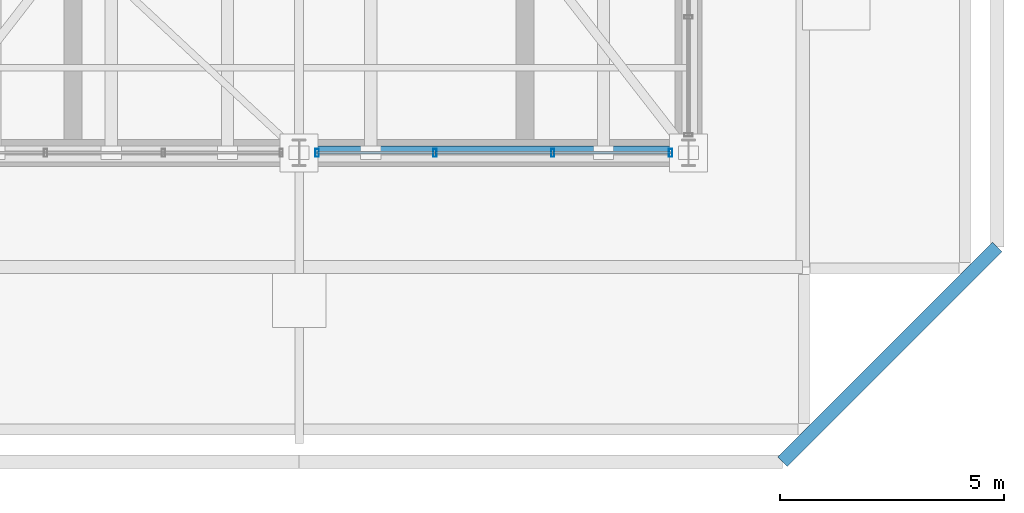
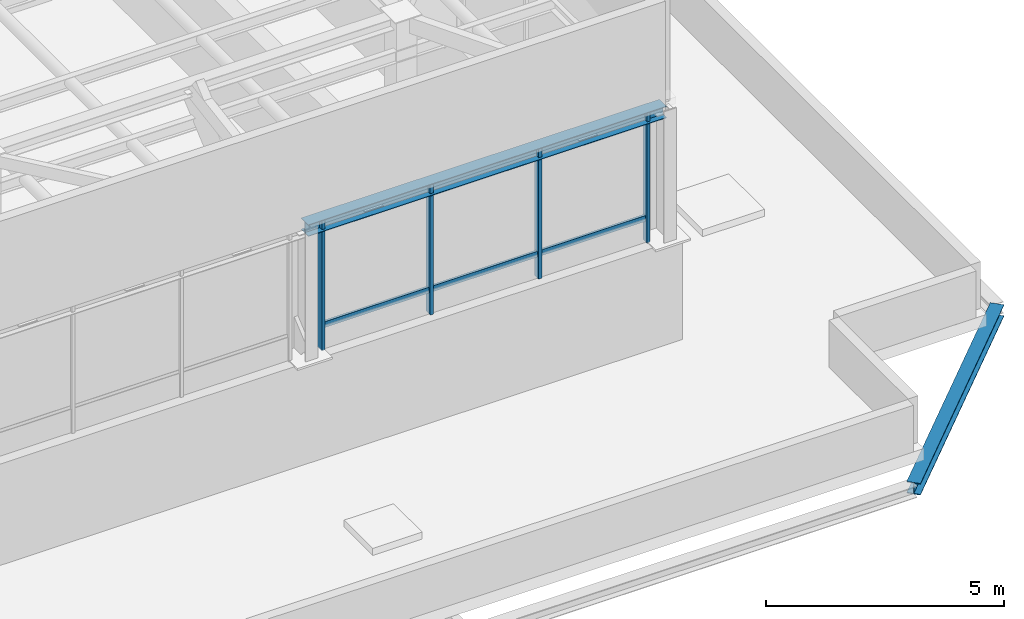
# One storey, part 9 of 22: 7 members, 2 beams, 1 element without a shape of its own.
"""IFC4 building model written with IfcOpenShell, lengths in metres."""

from ifc_helpers import new_model, si_unit, direction, frame, origin, origin_2d, place, context, subcontext, project, spatial, hollow_rectangle, i_section, extrude, material, layer, layer_set, material_profile, profile_set, type_object, element, aggregate, save


model = new_model("IFC4")

# Units and contexts
model_context = context("Model", 3, precision=1e-05, world=origin(), true_north=direction((0.0, 1.0)))
body_context = subcontext(model_context, "Body", "Model", "MODEL_VIEW")
ifc_project = project(units=[si_unit("LENGTHUNIT", "METRE"), si_unit("AREAUNIT", "SQUARE_METRE"), si_unit("VOLUMEUNIT", "CUBIC_METRE"), si_unit("PLANEANGLEUNIT", "RADIAN"), si_unit("MASSUNIT", "GRAM", prefix="KILO")], contexts=[model_context])

# Site, building, storey
site_placement = place(None, origin())
site = spatial("IfcSite", under=ifc_project, at=site_placement, CompositionType="ELEMENT")
building_placement = place(site_placement, origin())
building = spatial("IfcBuilding", under=site, at=building_placement, Name="Belovzor Exchange Tower", CompositionType="ELEMENT")
storey_placement = place(building_placement, frame((0.0, 0.0, 378.60009765625)))
storey = spatial("IfcBuildingStorey", under=building, at=storey_placement, Name="RF", CompositionType="ELEMENT", Elevation=378.60009765625)

# Beams
ifc_material_1 = material(Name="Steel S355", Category="steel")
ifc_material_profile_1 = material_profile(ifc_material_1, i_section(OverallWidth=0.300048828125, OverallDepth=0.300048828125, WebThickness=0.010986328125, FlangeThickness=0.01904296875, at=origin_2d()))
ifc_profile_set_1 = profile_set([ifc_material_profile_1], Name="Steel S355")
beam_type_1 = type_object("IfcBeamType", Name="Crown Plant Primary Beam HEB 300", PredefinedType="BEAM", material=ifc_profile_set_1)
beam_1_placement = place(storey_placement, frame((39.60009765625, 13.199951171875, -0.4501953125), z_axis=(0.707088798028, 0.707124763888, 0.0), x_axis=(-0.707124763888, 0.707088798028, 0.0)))
element("IfcBeam", 1, at=beam_1_placement, inside=storey, type_object=beam_type_1, Name="FG-CR Crown Plant Primary Beam HEB 300", PredefinedType="BEAM", context=body_context, shape_type="SweptSolid", body=[
    extrude(i_section(OverallWidth=0.300048828125, OverallDepth=0.300048828125, WebThickness=0.010986328125, FlangeThickness=0.01904296875, at=origin_2d()), origin(), (0.0, 0.0, 1.0), 6.7880859375),
])
ifc_material_2 = material(Name="Steel S355", Category="steel")
ifc_material_profile_2 = material_profile(ifc_material_2, i_section(OverallWidth=0.300048828125, OverallDepth=0.300048828125, WebThickness=0.008544921875, FlangeThickness=0.013916015625, at=origin_2d()))
ifc_profile_set_2 = profile_set([ifc_material_profile_2], Name="Steel S355")
beam_type_2 = type_object("IfcBeamType", Name="Crown Ring & Trim Beam HEA 300", PredefinedType="BEAM", material=ifc_profile_set_2)
beam_2_placement = place(storey_placement, frame((28.800048828125, 20.10009765625, 5.849853515625), z_axis=(1.0, 0.0, 0.0), x_axis=(0.0, 1.0, 0.0)))
element("IfcBeam", 2, at=beam_2_placement, inside=storey, type_object=beam_type_2, Name="CB-CR Crown Ring & Trim Beam HEA 300", PredefinedType="BEAM", context=body_context, shape_type="SweptSolid", body=[
    extrude(i_section(OverallWidth=0.300048828125, OverallDepth=0.300048828125, WebThickness=0.008544921875, FlangeThickness=0.013916015625, at=origin_2d()), origin(), (0.0, 0.0, 1.0), 8.699951171875),
])

# Curtain wall, members
ifc_material_3 = material(Name="Anodised Aluminium Framing", Category="aluminium")
ifc_layer = layer(ifc_material_3, 0.169921875)
ifc_layer_set = layer_set([ifc_layer], Name="Anodised Aluminium Framing")
curtain_wall_type = type_object("IfcCurtainWallType", Name="Stepped Crown Faceted Lantern Curtain Wall", PredefinedType="NOTDEFINED", material=ifc_layer_set)
curtain_wall_placement = place(storey_placement, origin())
curtain_wall = element("IfcCurtainWall", 3, at=curtain_wall_placement, inside=storey, type_object=curtain_wall_type, Name="CW6 Stepped Crown Faceted Lantern Curtain Wall RF", PredefinedType="NOTDEFINED")
ifc_material_4 = material(Name="Steel S355", Category="steel")
ifc_material_profile_3 = material_profile(ifc_material_4, hollow_rectangle(XDim=0.074951171875, YDim=0.179931640625, WallThickness=0.0048828125, at=origin_2d()))
ifc_profile_set_3 = profile_set([ifc_material_profile_3], Name="Steel S355")
member_type_1 = type_object("IfcMemberType", Name="Thermally Broken Curtain Wall Mullion 180x75", PredefinedType="MULLION", material=ifc_profile_set_3)
member_1_placement = place(storey_placement, frame((37.10009765625, 20.10009765625, 2.599853515625), z_axis=(0.0, 0.0, 1.0), x_axis=(-1.0, 0.0, 0.0)))
member_1 = element("IfcMember", 4, at=member_1_placement, type_object=member_type_1, Name="CW-M180 Curtain Wall Mullion 1", PredefinedType="MULLION", context=body_context, shape_type="SweptSolid", body=[
    extrude(hollow_rectangle(XDim=0.074951171875, YDim=0.179931640625, WallThickness=0.0048828125, at=origin_2d()), origin(), (0.0, 0.0, 1.0), 3.35009765625),
])
member_2_placement = place(storey_placement, frame((34.467041015625, 20.10009765625, 2.599853515625), z_axis=(0.0, 0.0, 1.0), x_axis=(-1.0, 0.0, 0.0)))
member_2 = element("IfcMember", 5, at=member_2_placement, type_object=member_type_1, Name="CW-M180 Curtain Wall Mullion 2", PredefinedType="MULLION", context=body_context, shape_type="SweptSolid", body=[
    extrude(hollow_rectangle(XDim=0.074951171875, YDim=0.179931640625, WallThickness=0.0048828125, at=origin_2d()), origin(), (0.0, 0.0, 1.0), 3.35009765625),
])
member_3_placement = place(storey_placement, frame((31.8330078125, 20.10009765625, 2.599853515625), z_axis=(0.0, 0.0, 1.0), x_axis=(-1.0, 0.0, 0.0)))
member_3 = element("IfcMember", 6, at=member_3_placement, type_object=member_type_1, Name="CW-M180 Curtain Wall Mullion 3", PredefinedType="MULLION", context=body_context, shape_type="SweptSolid", body=[
    extrude(hollow_rectangle(XDim=0.074951171875, YDim=0.179931640625, WallThickness=0.0048828125, at=origin_2d()), origin(), (0.0, 0.0, 1.0), 3.35009765625),
])
member_4_placement = place(storey_placement, frame((29.199951171875, 20.10009765625, 2.599853515625), z_axis=(0.0, 0.0, 1.0), x_axis=(-1.0, 0.0, 0.0)))
member_4 = element("IfcMember", 7, at=member_4_placement, type_object=member_type_1, Name="CW-M180 Curtain Wall Mullion 4", PredefinedType="MULLION", context=body_context, shape_type="SweptSolid", body=[
    extrude(hollow_rectangle(XDim=0.074951171875, YDim=0.179931640625, WallThickness=0.0048828125, at=origin_2d()), origin(), (0.0, 0.0, 1.0), 3.35009765625),
])
ifc_material_5 = material(Name="Steel S355", Category="steel")
ifc_material_profile_4 = material_profile(ifc_material_5, hollow_rectangle(XDim=0.06005859375, YDim=0.14990234375, WallThickness=0.00390625, at=origin_2d()))
ifc_profile_set_4 = profile_set([ifc_material_profile_4], Name="Steel S355")
member_type_2 = type_object("IfcMemberType", Name="Thermally Broken Curtain Wall Transom 150x60", PredefinedType="USERDEFINED", material=ifc_profile_set_4)
member_5_placement = place(storey_placement, frame((37.092041015625, 20.10009765625, 3.202880859375), z_axis=(-1.0, 0.0, 0.0), x_axis=(0.0, -1.0, 0.0)))
member_5 = element("IfcMember", 8, at=member_5_placement, type_object=member_type_2, Name="CW-T150 Curtain Wall Transom 1", ObjectType="TRANSOM", PredefinedType="USERDEFINED", context=body_context, shape_type="SweptSolid", body=[
    extrude(hollow_rectangle(XDim=0.06005859375, YDim=0.14990234375, WallThickness=0.00390625, at=origin_2d()), origin(), (0.0, 0.0, 1.0), 2.616943359375),
])
member_6_placement = place(storey_placement, frame((34.458984375, 20.10009765625, 3.202880859375), z_axis=(-1.0, 0.0, 0.0), x_axis=(0.0, -1.0, 0.0)))
member_6 = element("IfcMember", 9, at=member_6_placement, type_object=member_type_2, Name="CW-T150 Curtain Wall Transom 2", ObjectType="TRANSOM", PredefinedType="USERDEFINED", context=body_context, shape_type="SweptSolid", body=[
    extrude(hollow_rectangle(XDim=0.06005859375, YDim=0.14990234375, WallThickness=0.00390625, at=origin_2d()), origin(), (0.0, 0.0, 1.0), 2.617919921875),
])
member_7_placement = place(storey_placement, frame((31.824951171875, 20.10009765625, 3.202880859375), z_axis=(-1.0, 0.0, 0.0), x_axis=(0.0, -1.0, 0.0)))
member_7 = element("IfcMember", 10, at=member_7_placement, type_object=member_type_2, Name="CW-T150 Curtain Wall Transom 3", ObjectType="TRANSOM", PredefinedType="USERDEFINED", context=body_context, shape_type="SweptSolid", body=[
    extrude(hollow_rectangle(XDim=0.06005859375, YDim=0.14990234375, WallThickness=0.00390625, at=origin_2d()), origin(), (0.0, 0.0, 1.0), 2.616943359375),
])
aggregate(curtain_wall, [member_1, member_2, member_3, member_4, member_5, member_6, member_7])

save(model, "model.ifc")
